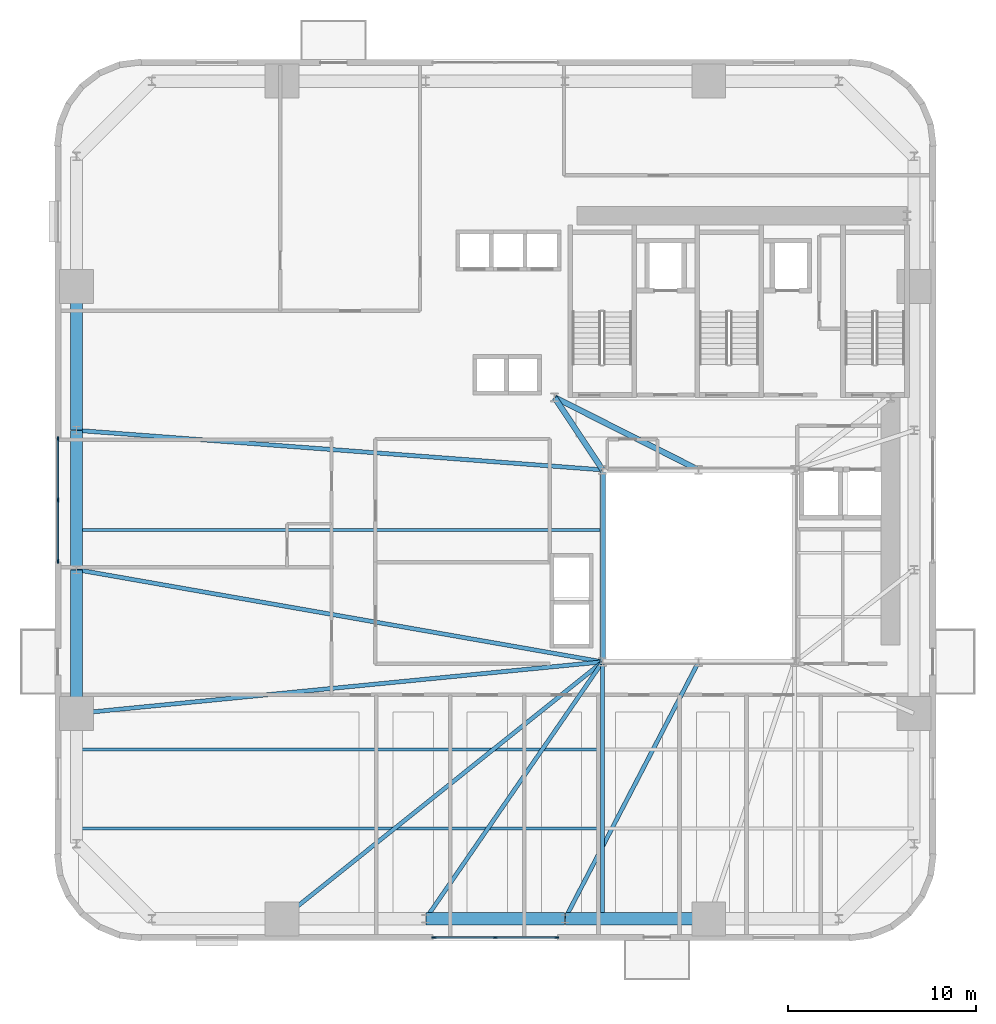
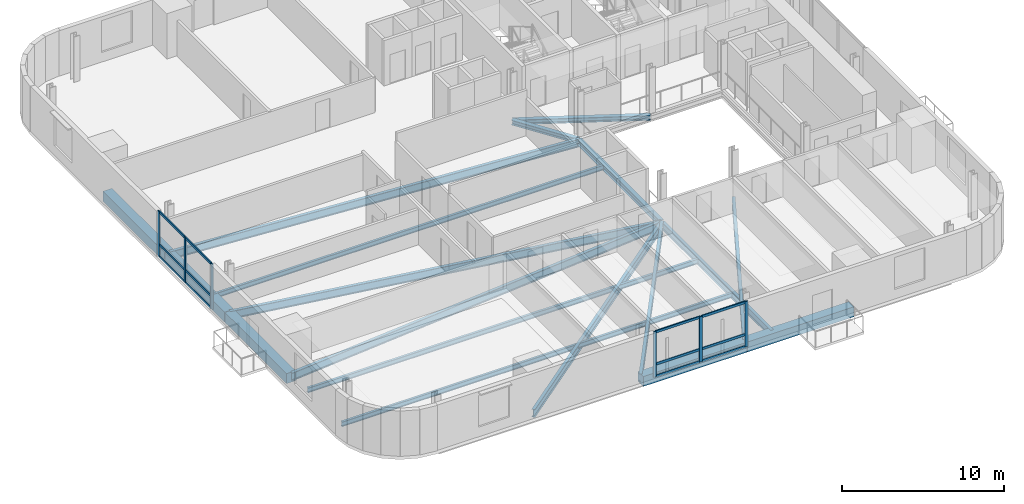
# One storey, part 2 of 13: 18 beams, 18 members, 2 elements without a shape of their own.
"""IFC4 building model written with IfcOpenShell, lengths in metres."""

from ifc_helpers import new_model, si_unit, direction, frame, origin, origin_2d, place, context, subcontext, project, spatial, rectangle, i_section, extrude, source, transform, mapped, material, material_profile, profile_set, type_object, element, aggregate, save


model = new_model("IFC4")

# Units and contexts
model_context = context("Model", 3, precision=1e-05, world=origin(), true_north=direction((0.0, 1.0)))
body_context = subcontext(model_context, "Body", "Model", "MODEL_VIEW")
ifc_project = project(units=[si_unit("LENGTHUNIT", "METRE"), si_unit("AREAUNIT", "SQUARE_METRE"), si_unit("VOLUMEUNIT", "CUBIC_METRE"), si_unit("PLANEANGLEUNIT", "RADIAN"), si_unit("MASSUNIT", "GRAM", prefix="KILO")], contexts=[model_context])

# Site, building, storey
site_placement = place(None, origin())
site = spatial("IfcSite", under=ifc_project, at=site_placement, CompositionType="ELEMENT")
building_placement = place(site_placement, origin())
building = spatial("IfcBuilding", under=site, at=building_placement, Name="Vardaveli Station Tower", CompositionType="ELEMENT")
storey_placement = place(building_placement, frame((0.0, 0.0, 53.14990234375)))
storey = spatial("IfcBuildingStorey", under=building, at=storey_placement, Name="L13", CompositionType="ELEMENT", Elevation=53.14990234375)

# Beams
ifc_material_1 = material(Name="Structural steel S355J2", Category="steel")
ifc_material_profile_1 = material_profile(ifc_material_1, i_section(OverallWidth=0.300048828125, OverallDepth=0.449951171875, WebThickness=0.013916015625, FlangeThickness=0.02587890625, FilletRadius=0.027099609375, at=origin_2d()), Name="HEB 450")
ifc_profile_set_1 = profile_set([ifc_material_profile_1], Name="Structural steel S355J2")
beam_type_1 = type_object("IfcBeamType", Name="BM-HEB450", PredefinedType="BEAM", material=ifc_profile_set_1)
shared_shape_1 = source(origin(), body_context, "Body", "SweptSolid", [
    extrude(i_section(OverallWidth=0.300048828125, OverallDepth=0.449951171875, WebThickness=0.013916015625, FlangeThickness=0.02587890625, FilletRadius=0.027099609375, at=origin_2d()), origin(), (0.0, 0.0, 1.0), 10.159912109375),
])
beam_1_placement = place(storey_placement, frame((31.199951171875, 26.780029296875, -0.46484375), z_axis=(0.0, -1.0, 0.0), x_axis=(1.0, 0.0, 0.0)))
element("IfcBeam", 1, at=beam_1_placement, inside=storey, type_object=beam_type_1, Name="ABM-L13-06", PredefinedType="BEAM", context=body_context, shape_type="MappedRepresentation", body=[
    mapped(shared_shape_1, transform((0.0, 0.0, 0.0), scale=1.0)),
])
ifc_material_profile_2 = material_profile(ifc_material_1, i_section(OverallWidth=0.300048828125, OverallDepth=0.360107421875, WebThickness=0.012451171875, FlangeThickness=0.0224609375, FilletRadius=0.027099609375, at=origin_2d()), Name="HEB 360")
ifc_profile_set_2 = profile_set([ifc_material_profile_2], Name="Structural steel S355J2")
beam_type_2 = type_object("IfcBeamType", Name="BM-HEB360", PredefinedType="BEAM", material=ifc_profile_set_2)
shared_shape_2 = source(origin(), body_context, "Body", "SweptSolid", [
    extrude(i_section(OverallWidth=0.300048828125, OverallDepth=0.360107421875, WebThickness=0.012451171875, FlangeThickness=0.0224609375, FilletRadius=0.027099609375, at=origin_2d()), origin(), (0.0, 0.0, 1.0), 4.577880859375),
])
beam_2_placement = place(storey_placement, frame((31.18896484375, 26.816650390625, -0.419921875), z_axis=(-0.55218702139, 0.833720272879, 0.0), x_axis=(-0.833720272879, -0.55218702139, 0.0)))
element("IfcBeam", 2, at=beam_2_placement, inside=storey, type_object=beam_type_2, Name="CBM-L13-01", PredefinedType="BEAM", context=body_context, shape_type="MappedRepresentation", body=[
    mapped(shared_shape_2, transform((0.0, 0.0, 0.0), scale=1.0)),
])
shared_shape_3 = source(origin(), body_context, "Body", "SweptSolid", [
    extrude(i_section(OverallWidth=0.300048828125, OverallDepth=0.360107421875, WebThickness=0.012451171875, FlangeThickness=0.0224609375, FilletRadius=0.027099609375, at=origin_2d()), origin(), (0.0, 0.0, 1.0), 8.524169921875),
])
beam_3_placement = place(storey_placement, frame((28.66796875, 30.64111328125, -0.419921875), z_axis=(0.893255584708, -0.449549174605, 0.0), x_axis=(0.449549174605, 0.893255584708, 0.0)))
element("IfcBeam", 3, at=beam_3_placement, inside=storey, type_object=beam_type_2, Name="CBM-L13-03", PredefinedType="BEAM", context=body_context, shape_type="MappedRepresentation", body=[
    mapped(shared_shape_3, transform((0.0, 0.0, 0.0), scale=1.0)),
])
ifc_material_2 = material(Name="Precast concrete C45/55", Category="concrete")
ifc_material_profile_3 = material_profile(ifc_material_2, rectangle(XDim=0.64990234375, YDim=0.75, at=origin_2d()), Name="LPB 650x750")
ifc_profile_set_3 = profile_set([ifc_material_profile_3], Name="Precast concrete C45/55")
beam_type_3 = type_object("IfcBeamType", Name="BM-LPB-750", PredefinedType="BEAM", material=ifc_profile_set_3)
shared_shape_4 = source(origin(), body_context, "Body", "SweptSolid", [
    extrude(rectangle(XDim=0.64990234375, YDim=0.75, at=origin_2d()), origin(), (0.0, 0.0, 1.0), 7.60009765625),
])
for number, where, z_axis, x_axis, name in (
    (4, (29.219970703125, 2.949951171875, -0.614990234375), (1.0, 0.0, 0.0), (0.0, 1.0, 0.0), "RBM-L13-03"),
    (5, (3.25, 36.52001953125, -0.614990234375), (0.0, -1.0, 0.0), (1.0, 0.0, 0.0), "RBM-L13-19"),
    (6, (3.25, 21.47998046875, -0.614990234375), (0.0, -1.0, 0.0), (1.0, 0.0, 0.0), "RBM-L13-21"),
):
    element("IfcBeam", number, at=place(storey_placement, frame(where, z_axis=z_axis, x_axis=x_axis)), inside=storey, type_object=beam_type_3, Name=name, PredefinedType="BEAM", context=body_context, shape_type="MappedRepresentation", body=[
        mapped(shared_shape_4, transform((0.0, 0.0, 0.0), scale=1.0)),
    ])
shared_shape_5 = source(origin(), body_context, "Body", "SweptSolid", [
    extrude(rectangle(XDim=0.64990234375, YDim=0.75, at=origin_2d()), origin(), (0.0, 0.0, 1.0), 7.35986328125),
])
for number, where, z_axis, x_axis, name in (
    (7, (21.820068359375, 2.949951171875, -0.614990234375), (1.0, 0.0, 0.0), (0.0, 1.0, 0.0), "RBM-L13-02"),
    (8, (3.25, 28.8798828125, -0.614990234375), (0.0, -1.0, 0.0), (1.0, 0.0, 0.0), "RBM-L13-20"),
):
    element("IfcBeam", number, at=place(storey_placement, frame(where, z_axis=z_axis, x_axis=x_axis)), inside=storey, type_object=beam_type_3, Name=name, PredefinedType="BEAM", context=body_context, shape_type="MappedRepresentation", body=[
        mapped(shared_shape_5, transform((0.0, 0.0, 0.0), scale=1.0)),
    ])
ifc_material_profile_4 = material_profile(ifc_material_1, i_section(OverallWidth=0.219970703125, OverallDepth=0.60009765625, WebThickness=0.011962890625, FlangeThickness=0.01904296875, FilletRadius=0.02392578125, at=origin_2d()), Name="IPE 600")
ifc_profile_set_4 = profile_set([ifc_material_profile_4], Name="Structural steel S355J2")
beam_type_4 = type_object("IfcBeamType", Name="BM-IPE600", PredefinedType="BEAM", material=ifc_profile_set_4)
shared_shape_6 = source(origin(), body_context, "Body", "SweptSolid", [
    extrude(i_section(OverallWidth=0.219970703125, OverallDepth=0.60009765625, WebThickness=0.011962890625, FlangeThickness=0.01904296875, FilletRadius=0.02392578125, at=origin_2d()), origin(), (0.0, 0.0, 1.0), 21.793212890625),
])
beam_4_placement = place(storey_placement, frame((14.175537109375, 2.96240234375, -0.539794921875), z_axis=(0.780466445023, 0.625197671296, 0.0), x_axis=(-0.625197671296, 0.780466445023, 0.0)))
element("IfcBeam", 9, at=beam_4_placement, inside=storey, type_object=beam_type_4, Name="GBM-L13-01", PredefinedType="BEAM", context=body_context, shape_type="MappedRepresentation", body=[
    mapped(shared_shape_6, transform((0.0, 0.0, 0.0), scale=1.0)),
])
shared_shape_7 = source(origin(), body_context, "Body", "SweptSolid", [
    extrude(i_section(OverallWidth=0.219970703125, OverallDepth=0.60009765625, WebThickness=0.011962890625, FlangeThickness=0.01904296875, FilletRadius=0.02392578125, at=origin_2d()), origin(), (0.0, 0.0, 1.0), 16.533447265625),
])
beam_5_placement = place(storey_placement, frame((21.811279296875, 2.966552734375, -0.539794921875), z_axis=(0.567177272103, 0.823595739431, 0.0), x_axis=(-0.823595739431, 0.567177272103, 0.0)))
element("IfcBeam", 10, at=beam_5_placement, inside=storey, type_object=beam_type_4, Name="GBM-L13-02", PredefinedType="BEAM", context=body_context, shape_type="MappedRepresentation", body=[
    mapped(shared_shape_7, transform((0.0, 0.0, 0.0), scale=1.0)),
])
shared_shape_8 = source(origin(), body_context, "Body", "SweptSolid", [
    extrude(i_section(OverallWidth=0.219970703125, OverallDepth=0.60009765625, WebThickness=0.011962890625, FlangeThickness=0.01904296875, FilletRadius=0.02392578125, at=origin_2d()), origin(), (0.0, 0.0, 1.0), 15.34619140625),
])
beam_6_placement = place(storey_placement, frame((29.209228515625, 2.9677734375, -0.539794921875), z_axis=(0.461455420507, 0.887163398075, 0.0), x_axis=(-0.887163398075, 0.461455420507, 0.0)))
element("IfcBeam", 11, at=beam_6_placement, inside=storey, type_object=beam_type_4, Name="GBM-L13-03", PredefinedType="BEAM", context=body_context, shape_type="MappedRepresentation", body=[
    mapped(shared_shape_8, transform((0.0, 0.0, 0.0), scale=1.0)),
])
shared_shape_9 = source(origin(), body_context, "Body", "SweptSolid", [
    extrude(i_section(OverallWidth=0.219970703125, OverallDepth=0.60009765625, WebThickness=0.011962890625, FlangeThickness=0.01904296875, FilletRadius=0.02392578125, at=origin_2d()), origin(), (0.0, 0.0, 1.0), 27.98876953125),
])
beam_7_placement = place(storey_placement, frame((3.27001953125, 28.8984375, -0.539794921875), z_axis=(0.99718954315, -0.074920057611, 0.0), x_axis=(0.074920057611, 0.99718954315, 0.0)))
element("IfcBeam", 12, at=beam_7_placement, inside=storey, type_object=beam_type_4, Name="GBM-L13-08", PredefinedType="BEAM", context=body_context, shape_type="MappedRepresentation", body=[
    mapped(shared_shape_9, transform((0.0, 0.0, 0.0), scale=1.0)),
])
shared_shape_10 = source(origin(), body_context, "Body", "SweptSolid", [
    extrude(i_section(OverallWidth=0.219970703125, OverallDepth=0.60009765625, WebThickness=0.011962890625, FlangeThickness=0.01904296875, FilletRadius=0.02392578125, at=origin_2d()), origin(), (0.0, 0.0, 1.0), 28.33642578125),
])
beam_8_placement = place(storey_placement, frame((3.269775390625, 21.49658203125, -0.539794921875), z_axis=(0.984978267336, -0.172678350921, 0.0), x_axis=(0.172678350921, 0.984978267336, 0.0)))
element("IfcBeam", 13, at=beam_8_placement, inside=storey, type_object=beam_type_4, Name="GBM-L13-09", PredefinedType="BEAM", context=body_context, shape_type="MappedRepresentation", body=[
    mapped(shared_shape_10, transform((0.0, 0.0, 0.0), scale=1.0)),
])
shared_shape_11 = source(origin(), body_context, "Body", "SweptSolid", [
    extrude(i_section(OverallWidth=0.219970703125, OverallDepth=0.60009765625, WebThickness=0.011962890625, FlangeThickness=0.01904296875, FilletRadius=0.02392578125, at=origin_2d()), origin(), (0.0, 0.0, 1.0), 28.0439453125),
])
beam_9_placement = place(storey_placement, frame((3.27001953125, 13.862060546875, -0.539794921875), z_axis=(0.995229237856, 0.097564153855, 0.0), x_axis=(-0.097564153855, 0.995229237856, 0.0)))
element("IfcBeam", 14, at=beam_9_placement, inside=storey, type_object=beam_type_4, Name="GBM-L13-10", PredefinedType="BEAM", context=body_context, shape_type="MappedRepresentation", body=[
    mapped(shared_shape_11, transform((0.0, 0.0, 0.0), scale=1.0)),
])
ifc_material_profile_5 = material_profile(ifc_material_1, i_section(OverallWidth=0.2099609375, OverallDepth=0.550048828125, WebThickness=0.010986328125, FlangeThickness=0.01708984375, FilletRadius=0.02392578125, at=origin_2d()), Name="IPE 550")
ifc_profile_set_5 = profile_set([ifc_material_profile_5], Name="Structural steel S355J2")
beam_type_5 = type_object("IfcBeamType", Name="BM-IPE550", PredefinedType="BEAM", material=ifc_profile_set_5)
shared_shape_12 = source(origin(), body_context, "Body", "SweptSolid", [
    extrude(i_section(OverallWidth=0.2099609375, OverallDepth=0.550048828125, WebThickness=0.010986328125, FlangeThickness=0.01708984375, FilletRadius=0.02392578125, at=origin_2d()), origin(), (0.0, 0.0, 1.0), 13.469970703125),
])
beam_10_placement = place(storey_placement, frame((31.199951171875, 2.989990234375, -0.514892578125), z_axis=(0.0, 1.0, 0.0), x_axis=(-1.0, 0.0, 0.0)))
element("IfcBeam", 15, at=beam_10_placement, inside=storey, type_object=beam_type_5, Name="NSM-L13-S1", PredefinedType="BEAM", context=body_context, shape_type="MappedRepresentation", body=[
    mapped(shared_shape_12, transform((0.0, 0.0, 0.0), scale=1.0)),
])
ifc_material_profile_6 = material_profile(ifc_material_1, i_section(OverallWidth=0.169921875, OverallDepth=0.360107421875, WebThickness=0.008056640625, FlangeThickness=0.0126953125, FilletRadius=0.01806640625, at=origin_2d()), Name="IPE 360")
ifc_profile_set_6 = profile_set([ifc_material_profile_6], Name="Structural steel S355J2")
beam_type_6 = type_object("IfcBeamType", Name="BM-IPE360", PredefinedType="JOIST", material=ifc_profile_set_6)
shared_shape_13 = source(origin(), body_context, "Body", "SweptSolid", [
    extrude(i_section(OverallWidth=0.169921875, OverallDepth=0.360107421875, WebThickness=0.008056640625, FlangeThickness=0.0126953125, FilletRadius=0.01806640625, at=origin_2d()), origin(), (0.0, 0.0, 1.0), 27.7978515625),
])
for number, where, z_axis, x_axis, name in (
    (16, (3.2900390625, 7.75, -0.419921875), (1.0, 0.0, 0.0), (0.0, 1.0, 0.0), "SJ-L13-S01"),
    (17, (3.2900390625, 11.949951171875, -0.419921875), (1.0, 0.0, 0.0), (0.0, 1.0, 0.0), "SJ-L13-S04"),
    (18, (3.2900390625, 23.60009765625, -0.419921875), (1.0, 0.0, 0.0), (0.0, 1.0, 0.0), "SJ-L13-W08"),
):
    element("IfcBeam", number, at=place(storey_placement, frame(where, z_axis=z_axis, x_axis=x_axis)), inside=storey, type_object=beam_type_6, Name=name, PredefinedType="JOIST", context=body_context, shape_type="MappedRepresentation", body=[
        mapped(shared_shape_13, transform((0.0, 0.0, 0.0), scale=1.0)),
    ])

# Curtain wall, members
ifc_material_3 = material(Name="Travertine stone and solar-control glass", Category="masonry")
curtain_wall_type = type_object("IfcCurtainWallType", Name="CW-SYS-2", PredefinedType="NOTDEFINED", material=ifc_material_3)
curtain_wall_1_placement = place(storey_placement, origin())
curtain_wall_1 = element("IfcCurtainWall", 19, at=curtain_wall_1_placement, inside=storey, type_object=curtain_wall_type, Name="CW-L13-S", PredefinedType="NOTDEFINED")
ifc_material_4 = material(Name="Anodised aluminium alloy 6063-T6", Category="aluminium")
ifc_material_profile_7 = material_profile(ifc_material_4, rectangle(XDim=0.0849609375, YDim=0.179931640625, at=origin_2d()), Name="CWT 85x180")
ifc_profile_set_7 = profile_set([ifc_material_profile_7], Name="Anodised aluminium alloy 6063-T6")
member_type_1 = type_object("IfcMemberType", Name="CW-SYS-2-TRAN", PredefinedType="NOTDEFINED", material=ifc_profile_set_7)
shared_shape_14 = source(origin(), body_context, "Body", "SweptSolid", [
    extrude(rectangle(XDim=0.0849609375, YDim=0.179931640625, at=origin_2d()), origin(), (0.0, 0.0, 1.0), 3.172607421875),
])
member_1_placement = place(storey_placement, frame((22.284912109375, 1.9599609375, 0.04248046875), z_axis=(1.0, 0.0, 0.0), x_axis=(0.0, 1.0, 0.0)))
member_1 = element("IfcMember", 20, at=member_1_placement, type_object=member_type_1, Name="CW-2 transom 1.1", ObjectType="TRANSOM", PredefinedType="USERDEFINED", context=body_context, shape_type="MappedRepresentation", body=[
    mapped(shared_shape_14, transform((0.0, 0.0, 0.0), scale=1.0)),
])
member_2_placement = place(storey_placement, frame((22.284912109375, 1.9599609375, 0.9501953125), z_axis=(1.0, 0.0, 0.0), x_axis=(0.0, 1.0, 0.0)))
member_2 = element("IfcMember", 21, at=member_2_placement, type_object=member_type_1, Name="CW-2 transom 1.2", ObjectType="TRANSOM", PredefinedType="USERDEFINED", context=body_context, shape_type="MappedRepresentation", body=[
    mapped(shared_shape_14, transform((0.0, 0.0, 0.0), scale=1.0)),
])
member_3_placement = place(storey_placement, frame((22.284912109375, 1.9599609375, 3.36767578125), z_axis=(1.0, 0.0, 0.0), x_axis=(0.0, 1.0, 0.0)))
member_3 = element("IfcMember", 22, at=member_3_placement, type_object=member_type_1, Name="CW-2 transom 1.3", ObjectType="TRANSOM", PredefinedType="USERDEFINED", context=body_context, shape_type="MappedRepresentation", body=[
    mapped(shared_shape_14, transform((0.0, 0.0, 0.0), scale=1.0)),
])
member_4_placement = place(storey_placement, frame((25.54248046875, 1.9599609375, 0.04248046875), z_axis=(1.0, 0.0, 0.0), x_axis=(0.0, 1.0, 0.0)))
member_4 = element("IfcMember", 23, at=member_4_placement, type_object=member_type_1, Name="CW-2 transom 2.1", ObjectType="TRANSOM", PredefinedType="USERDEFINED", context=body_context, shape_type="MappedRepresentation", body=[
    mapped(shared_shape_14, transform((0.0, 0.0, 0.0), scale=1.0)),
])
member_5_placement = place(storey_placement, frame((25.54248046875, 1.9599609375, 0.9501953125), z_axis=(1.0, 0.0, 0.0), x_axis=(0.0, 1.0, 0.0)))
member_5 = element("IfcMember", 24, at=member_5_placement, type_object=member_type_1, Name="CW-2 transom 2.2", ObjectType="TRANSOM", PredefinedType="USERDEFINED", context=body_context, shape_type="MappedRepresentation", body=[
    mapped(shared_shape_14, transform((0.0, 0.0, 0.0), scale=1.0)),
])
member_6_placement = place(storey_placement, frame((25.54248046875, 1.9599609375, 3.36767578125), z_axis=(1.0, 0.0, 0.0), x_axis=(0.0, 1.0, 0.0)))
member_6 = element("IfcMember", 25, at=member_6_placement, type_object=member_type_1, Name="CW-2 transom 2.3", ObjectType="TRANSOM", PredefinedType="USERDEFINED", context=body_context, shape_type="MappedRepresentation", body=[
    mapped(shared_shape_14, transform((0.0, 0.0, 0.0), scale=1.0)),
])

curtain_wall_2_placement = place(storey_placement, origin())
curtain_wall_2 = element("IfcCurtainWall", 26, at=curtain_wall_2_placement, inside=storey, type_object=curtain_wall_type, Name="CW-L13-W", PredefinedType="NOTDEFINED")
member_7_placement = place(storey_placement, frame((2.260009765625, 28.4150390625, 0.04248046875), z_axis=(0.0, -1.0, 0.0), x_axis=(1.0, 0.0, 0.0)))
member_7 = element("IfcMember", 27, at=member_7_placement, type_object=member_type_1, Name="CW-2 transom 1.1", ObjectType="TRANSOM", PredefinedType="USERDEFINED", context=body_context, shape_type="MappedRepresentation", body=[
    mapped(shared_shape_14, transform((0.0, 0.0, 0.0), scale=1.0)),
])
member_8_placement = place(storey_placement, frame((2.260009765625, 28.4150390625, 0.9501953125), z_axis=(0.0, -1.0, 0.0), x_axis=(1.0, 0.0, 0.0)))
member_8 = element("IfcMember", 28, at=member_8_placement, type_object=member_type_1, Name="CW-2 transom 1.2", ObjectType="TRANSOM", PredefinedType="USERDEFINED", context=body_context, shape_type="MappedRepresentation", body=[
    mapped(shared_shape_14, transform((0.0, 0.0, 0.0), scale=1.0)),
])
member_9_placement = place(storey_placement, frame((2.260009765625, 28.4150390625, 3.36767578125), z_axis=(0.0, -1.0, 0.0), x_axis=(1.0, 0.0, 0.0)))
member_9 = element("IfcMember", 29, at=member_9_placement, type_object=member_type_1, Name="CW-2 transom 1.3", ObjectType="TRANSOM", PredefinedType="USERDEFINED", context=body_context, shape_type="MappedRepresentation", body=[
    mapped(shared_shape_14, transform((0.0, 0.0, 0.0), scale=1.0)),
])
shared_shape_15 = source(origin(), body_context, "Body", "SweptSolid", [
    extrude(rectangle(XDim=0.0849609375, YDim=0.179931640625, at=origin_2d()), origin(), (0.0, 0.0, 1.0), 3.17236328125),
])
member_10_placement = place(storey_placement, frame((2.260009765625, 25.157470703125, 0.04248046875), z_axis=(0.0, -1.0, 0.0), x_axis=(1.0, 0.0, 0.0)))
member_10 = element("IfcMember", 30, at=member_10_placement, type_object=member_type_1, Name="CW-2 transom 2.1", ObjectType="TRANSOM", PredefinedType="USERDEFINED", context=body_context, shape_type="MappedRepresentation", body=[
    mapped(shared_shape_15, transform((0.0, 0.0, 0.0), scale=1.0)),
])
member_11_placement = place(storey_placement, frame((2.260009765625, 25.157470703125, 0.9501953125), z_axis=(0.0, -1.0, 0.0), x_axis=(1.0, 0.0, 0.0)))
member_11 = element("IfcMember", 31, at=member_11_placement, type_object=member_type_1, Name="CW-2 transom 2.2", ObjectType="TRANSOM", PredefinedType="USERDEFINED", context=body_context, shape_type="MappedRepresentation", body=[
    mapped(shared_shape_15, transform((0.0, 0.0, 0.0), scale=1.0)),
])
member_12_placement = place(storey_placement, frame((2.260009765625, 25.157470703125, 3.36767578125), z_axis=(0.0, -1.0, 0.0), x_axis=(1.0, 0.0, 0.0)))
member_12 = element("IfcMember", 32, at=member_12_placement, type_object=member_type_1, Name="CW-2 transom 2.3", ObjectType="TRANSOM", PredefinedType="USERDEFINED", context=body_context, shape_type="MappedRepresentation", body=[
    mapped(shared_shape_15, transform((0.0, 0.0, 0.0), scale=1.0)),
])

# Member
ifc_material_profile_8 = material_profile(ifc_material_4, rectangle(XDim=0.0849609375, YDim=0.219970703125, at=origin_2d()), Name="CWM 85x220")
ifc_profile_set_8 = profile_set([ifc_material_profile_8], Name="Anodised aluminium alloy 6063-T6")
member_type_2 = type_object("IfcMemberType", Name="CW-SYS-2-MULL", PredefinedType="MULLION", material=ifc_profile_set_8)
shared_shape_16 = source(origin(), body_context, "Body", "SweptSolid", [
    extrude(rectangle(XDim=0.0849609375, YDim=0.219970703125, at=origin_2d()), origin(), (0.0, 0.0, 1.0), 3.41015625),
])
member_13_placement = place(storey_placement, frame((22.242431640625, 1.9599609375, 0.0), z_axis=(0.0, 0.0, 1.0), x_axis=(0.0, 1.0, 0.0)))
member_13 = element("IfcMember", 33, at=member_13_placement, type_object=member_type_2, Name="CW-2 mullion 1", PredefinedType="MULLION", context=body_context, shape_type="MappedRepresentation", body=[
    mapped(shared_shape_16, transform((0.0, 0.0, 0.0), scale=1.0)),
])

member_14_placement = place(storey_placement, frame((25.5, 1.9599609375, 0.0), z_axis=(0.0, 0.0, 1.0), x_axis=(0.0, 1.0, 0.0)))
member_14 = element("IfcMember", 34, at=member_14_placement, type_object=member_type_2, Name="CW-2 mullion 2", PredefinedType="MULLION", context=body_context, shape_type="MappedRepresentation", body=[
    mapped(shared_shape_16, transform((0.0, 0.0, 0.0), scale=1.0)),
])

member_15_placement = place(storey_placement, frame((28.757568359375, 1.9599609375, 0.0), z_axis=(0.0, 0.0, 1.0), x_axis=(0.0, 1.0, 0.0)))
member_15 = element("IfcMember", 35, at=member_15_placement, type_object=member_type_2, Name="CW-2 mullion 3", PredefinedType="MULLION", context=body_context, shape_type="MappedRepresentation", body=[
    mapped(shared_shape_16, transform((0.0, 0.0, 0.0), scale=1.0)),
])

aggregate(curtain_wall_1, [member_13, member_14, member_15, member_1, member_2, member_3, member_4, member_5, member_6])

member_16_placement = place(storey_placement, frame((2.260009765625, 28.45751953125, 0.0), z_axis=(0.0, 0.0, 1.0), x_axis=(1.0, 0.0, 0.0)))
member_16 = element("IfcMember", 36, at=member_16_placement, type_object=member_type_2, Name="CW-2 mullion 1", PredefinedType="MULLION", context=body_context, shape_type="MappedRepresentation", body=[
    mapped(shared_shape_16, transform((0.0, 0.0, 0.0), scale=1.0)),
])

member_17_placement = place(storey_placement, frame((2.260009765625, 25.199951171875, 0.0), z_axis=(0.0, 0.0, 1.0), x_axis=(1.0, 0.0, 0.0)))
member_17 = element("IfcMember", 37, at=member_17_placement, type_object=member_type_2, Name="CW-2 mullion 2", PredefinedType="MULLION", context=body_context, shape_type="MappedRepresentation", body=[
    mapped(shared_shape_16, transform((0.0, 0.0, 0.0), scale=1.0)),
])

member_18_placement = place(storey_placement, frame((2.260009765625, 21.9423828125, 0.0), z_axis=(0.0, 0.0, 1.0), x_axis=(1.0, 0.0, 0.0)))
member_18 = element("IfcMember", 38, at=member_18_placement, type_object=member_type_2, Name="CW-2 mullion 3", PredefinedType="MULLION", context=body_context, shape_type="MappedRepresentation", body=[
    mapped(shared_shape_16, transform((0.0, 0.0, 0.0), scale=1.0)),
])

aggregate(curtain_wall_2, [member_16, member_17, member_18, member_7, member_8, member_9, member_10, member_11, member_12])

save(model, "model.ifc")
